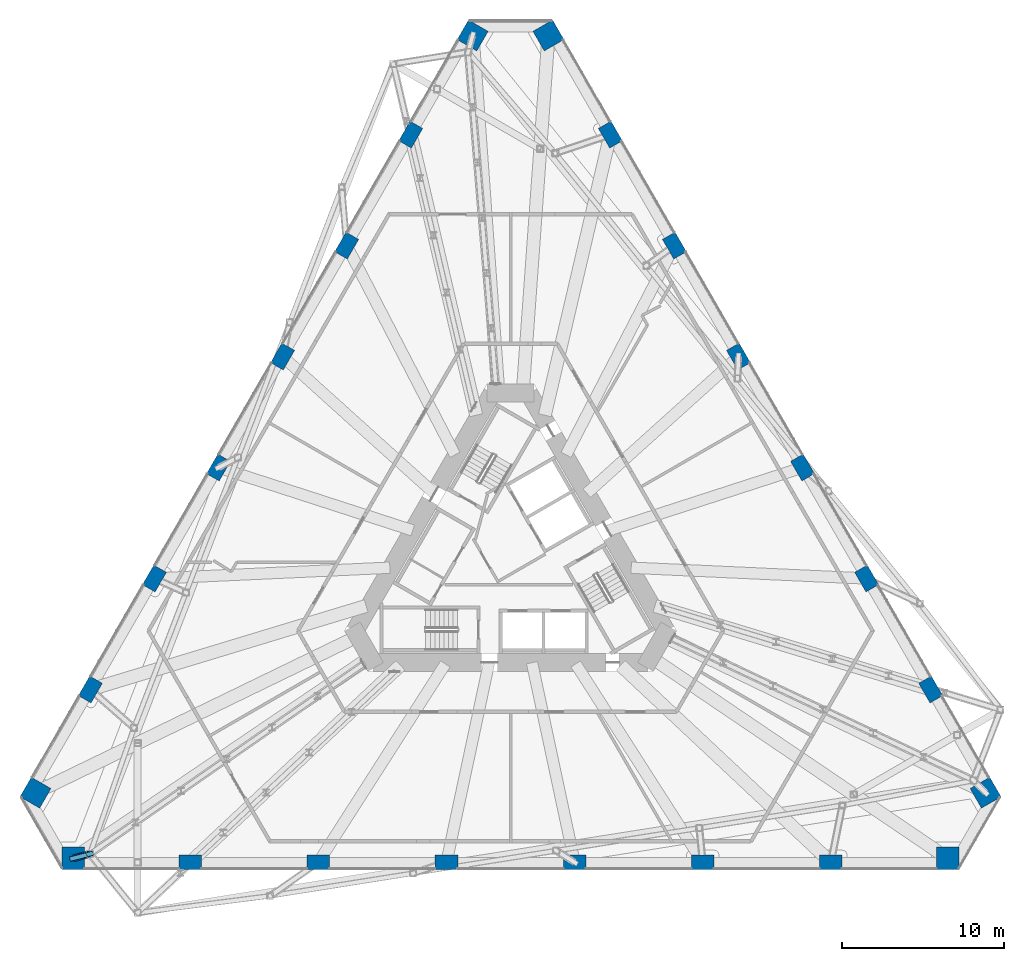
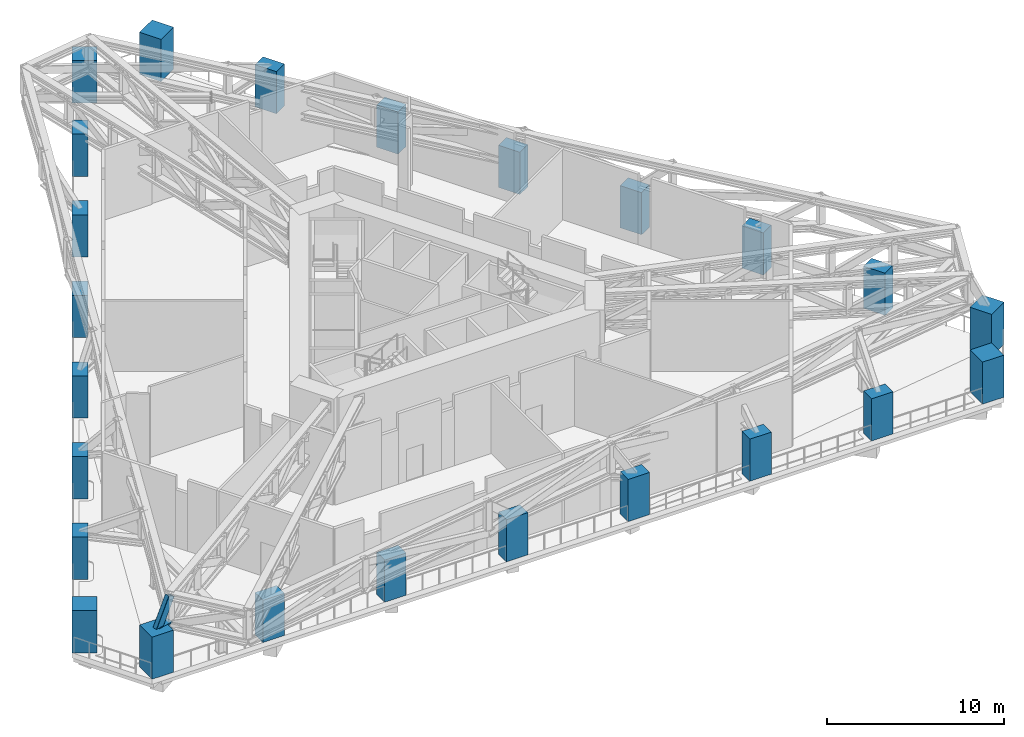
# One storey, part 1 of 20: 24 columns, 2 members.
"""IFC4 building model written with IfcOpenShell, lengths in metres."""

from ifc_helpers import new_model, si_unit, direction, frame, origin, origin_2d, place, context, subcontext, project, spatial, rectangle, hollow_rectangle, i_section, extrude, material, material_profile, profile_set, type_object, element, save


model = new_model("IFC4")

# Units and contexts
model_context = context("Model", 3, precision=1e-05, world=origin(), true_north=direction((0.0, 1.0)))
body_context = subcontext(model_context, "Body", "Model", "MODEL_VIEW")
ifc_project = project(units=[si_unit("LENGTHUNIT", "METRE"), si_unit("AREAUNIT", "SQUARE_METRE"), si_unit("VOLUMEUNIT", "CUBIC_METRE"), si_unit("PLANEANGLEUNIT", "RADIAN"), si_unit("MASSUNIT", "GRAM", prefix="KILO")], contexts=[model_context])

# Site, building, storey
site_placement = place(None, origin())
site = spatial("IfcSite", under=ifc_project, at=site_placement, CompositionType="ELEMENT")
building_placement = place(site_placement, origin())
building = spatial("IfcBuilding", under=site, at=building_placement, Name="Tramontana Tower", CompositionType="ELEMENT")
storey_placement = place(building_placement, frame((0.0, 0.0, 46.0)))
storey = spatial("IfcBuildingStorey", under=building, at=storey_placement, Name="L09", CompositionType="ELEMENT", Elevation=46.0)

# Columns
ifc_material_1 = material(Name="Concrete 70 MPa", Category="concrete")
ifc_material_profile_1 = material_profile(ifc_material_1, rectangle(XDim=1.39990234375, YDim=1.39990234375, at=origin_2d()), Name="Mega column 1400X1400 70 MPa")
ifc_profile_set_1 = profile_set([ifc_material_profile_1], Name="Concrete 70 MPa")
column_type_1 = type_object("IfcColumnType", Name="Mega column 1400X1400 70 MPa", PredefinedType="COLUMN", material=ifc_profile_set_1)
for number, where, z_axis, x_axis, name in (
    (1, (-2.341796875, 32.543701171875, 0.0), (0.0, 0.0, 1.0), (-0.5, -0.866025403784, 0.0), "Mega column C0K1 L09"),
    (2, (-29.354736328125, -14.243896484375, 0.0), (0.0, 0.0, 1.0), (-0.5, -0.866025403784, 0.0), "Mega column C0K2 L09"),
    (3, (-27.0126953125, -18.300048828125, 0.0), (0.0, 0.0, 1.0), (1.0, 0.0, 0.0), "Mega column C0K3 L09"),
    (4, (27.0126953125, -18.300048828125, 0.0), (0.0, 0.0, 1.0), (1.0, 0.0, 0.0), "Mega column C0K4 L09"),
    (5, (29.354736328125, -14.243896484375, 0.0), (0.0, 0.0, 1.0), (-0.5, 0.866025403784, 0.0), "Mega column C0K5 L09"),
    (6, (2.341796875, 32.543701171875, 0.0), (0.0, 0.0, 1.0), (-0.5, 0.866025403784, 0.0), "Mega column C0K6 L09"),
):
    element("IfcColumn", number, at=place(storey_placement, frame(where, z_axis=z_axis, x_axis=x_axis)), inside=storey, type_object=column_type_1, Name=name, PredefinedType="COLUMN", context=body_context, shape_type="SweptSolid", body=[
        extrude(rectangle(XDim=1.39990234375, YDim=1.39990234375, at=origin_2d()), origin(), (0.0, 0.0, 1.0), 2.8984375),
    ])
ifc_material_2 = material(Name="Concrete 55 MPa", Category="concrete")
ifc_material_profile_2 = material_profile(ifc_material_2, rectangle(XDim=1.39990234375, YDim=0.89990234375, at=origin_2d()), Name="Pier column 1400X900 55 MPa")
ifc_profile_set_2 = profile_set([ifc_material_profile_2], Name="Concrete 55 MPa")
column_type_2 = type_object("IfcColumnType", Name="Pier column 1400X900 55 MPa", PredefinedType="COLUMN", material=ifc_profile_set_2)
for number, where, z_axis, x_axis, name in (
    (7, (-6.167236328125, 26.41796875, 0.0), (0.0, 0.0, 1.0), (-0.5, -0.866025403784, 0.0), "Pier column C0F01 L09"),
    (8, (-10.126220703125, 19.560791015625, 0.0), (0.0, 0.0, 1.0), (-0.5, -0.866025403784, 0.0), "Pier column C0F02 L09"),
    (9, (-14.085205078125, 12.70361328125, 0.0), (0.0, 0.0, 1.0), (-0.5, -0.866025403784, 0.0), "Pier column C0F03 L09"),
    (10, (-18.044189453125, 5.846435546875, 0.0), (0.0, 0.0, 1.0), (-0.5, -0.866025403784, 0.0), "Pier column C0F04 L09"),
    (11, (-22.003173828125, -1.0107421875, 0.0), (0.0, 0.0, 1.0), (-0.5, -0.866025403784, 0.0), "Pier column C0F05 L09"),
    (12, (-25.962158203125, -7.867919921875, 0.0), (0.0, 0.0, 1.0), (-0.5, -0.866025403784, 0.0), "Pier column C0F06 L09"),
    (13, (-19.794921875, -18.550048828125, 0.0), (0.0, 0.0, 1.0), (1.0, 0.0, 0.0), "Pier column C0F07 L09"),
    (14, (-11.876953125, -18.550048828125, 0.0), (0.0, 0.0, 1.0), (1.0, 0.0, 0.0), "Pier column C0F08 L09"),
    (15, (-3.958984375, -18.550048828125, 0.0), (0.0, 0.0, 1.0), (1.0, 0.0, 0.0), "Pier column C0F09 L09"),
    (16, (3.958984375, -18.550048828125, 0.0), (0.0, 0.0, 1.0), (1.0, 0.0, 0.0), "Pier column C0F10 L09"),
    (17, (11.876953125, -18.550048828125, 0.0), (0.0, 0.0, 1.0), (1.0, 0.0, 0.0), "Pier column C0F11 L09"),
    (18, (19.794921875, -18.550048828125, 0.0), (0.0, 0.0, 1.0), (1.0, 0.0, 0.0), "Pier column C0F12 L09"),
    (19, (25.962158203125, -7.867919921875, 0.0), (0.0, 0.0, 1.0), (-0.5, 0.866025403784, 0.0), "Pier column C0F13 L09"),
    (20, (22.003173828125, -1.0107421875, 0.0), (0.0, 0.0, 1.0), (-0.5, 0.866025403784, 0.0), "Pier column C0F14 L09"),
    (21, (18.044189453125, 5.846435546875, 0.0), (0.0, 0.0, 1.0), (-0.5, 0.866025403784, 0.0), "Pier column C0F15 L09"),
    (22, (14.085205078125, 12.70361328125, 0.0), (0.0, 0.0, 1.0), (-0.5, 0.866025403784, 0.0), "Pier column C0F16 L09"),
    (23, (10.126220703125, 19.560791015625, 0.0), (0.0, 0.0, 1.0), (-0.5, 0.866025403784, 0.0), "Pier column C0F17 L09"),
    (24, (6.167236328125, 26.41796875, 0.0), (0.0, 0.0, 1.0), (-0.5, 0.866025403784, 0.0), "Pier column C0F18 L09"),
):
    element("IfcColumn", number, at=place(storey_placement, frame(where, z_axis=z_axis, x_axis=x_axis)), inside=storey, type_object=column_type_2, Name=name, PredefinedType="COLUMN", context=body_context, shape_type="SweptSolid", body=[
        extrude(rectangle(XDim=1.39990234375, YDim=0.89990234375, at=origin_2d()), origin(), (0.0, 0.0, 1.0), 2.8984375),
    ])

# Members
ifc_material_3 = material(Name="Steel ASTM A500 Grade C", Category="steel")
ifc_material_profile_3 = material_profile(ifc_material_3, hollow_rectangle(XDim=0.3046875, YDim=0.508056640625, WallThickness=0.0146484375, InnerFilletRadius=0.0146484375, OuterFilletRadius=0.029541015625, at=origin_2d()), Name="HSS20X12X5/8")
ifc_profile_set_3 = profile_set([ifc_material_profile_3], Name="Steel ASTM A500 Grade C")
member_type_1 = type_object("IfcMemberType", Name="Transfer truss HSS20X12X5/8 brace", PredefinedType="BRACE", material=ifc_profile_set_3)
member_1_placement = place(storey_placement, frame((-27.0126953125, -18.300048828125, 2.649169921875), z_axis=(0.461515342354, 0.121040588836, 0.878836028293), x_axis=(-0.25368794913, 0.967286113033, 0.0)))
element("IfcMember", 25, at=member_1_placement, inside=storey, type_object=member_type_1, Name="Transfer truss strut C1K2 diagonal", PredefinedType="BRACE", context=body_context, shape_type="SweptSolid", body=[
    extrude(hollow_rectangle(XDim=0.3046875, YDim=0.508056640625, WallThickness=0.0146484375, InnerFilletRadius=0.0146484375, OuterFilletRadius=0.029541015625, at=origin_2d()), origin(), (0.0, 0.0, 1.0), 2.220703125),
])
ifc_material_4 = material(Name="Steel ASTM A992 Grade 50", Category="steel")
ifc_material_profile_4 = material_profile(ifc_material_4, i_section(OverallWidth=0.431884765625, OverallDepth=0.49853515625, WebThickness=0.0556640625, FlangeThickness=0.0888671875, FilletRadius=0.01513671875, at=origin_2d()), Name="W14X500")
ifc_profile_set_4 = profile_set([ifc_material_profile_4], Name="Steel ASTM A992 Grade 50")
member_type_2 = type_object("IfcMemberType", Name="Transfer truss W14X500 strut", PredefinedType="STRUT", material=ifc_profile_set_4)
member_2_placement = place(storey_placement, frame((-27.0126953125, -18.300048828125, 2.649169921875), z_axis=(0.967286113033, 0.25368794913, 0.0), x_axis=(-0.25368794913, 0.967286113033, 0.0)))
element("IfcMember", 26, at=member_2_placement, inside=storey, type_object=member_type_2, Name="Transfer truss strut C1K2 bottom", PredefinedType="STRUT", context=body_context, shape_type="SweptSolid", body=[
    extrude(i_section(OverallWidth=0.431884765625, OverallDepth=0.49853515625, WebThickness=0.0556640625, FlangeThickness=0.0888671875, FilletRadius=0.01513671875, at=origin_2d()), origin(), (0.0, 0.0, 1.0), 1.0595703125),
])

save(model, "model.ifc")
